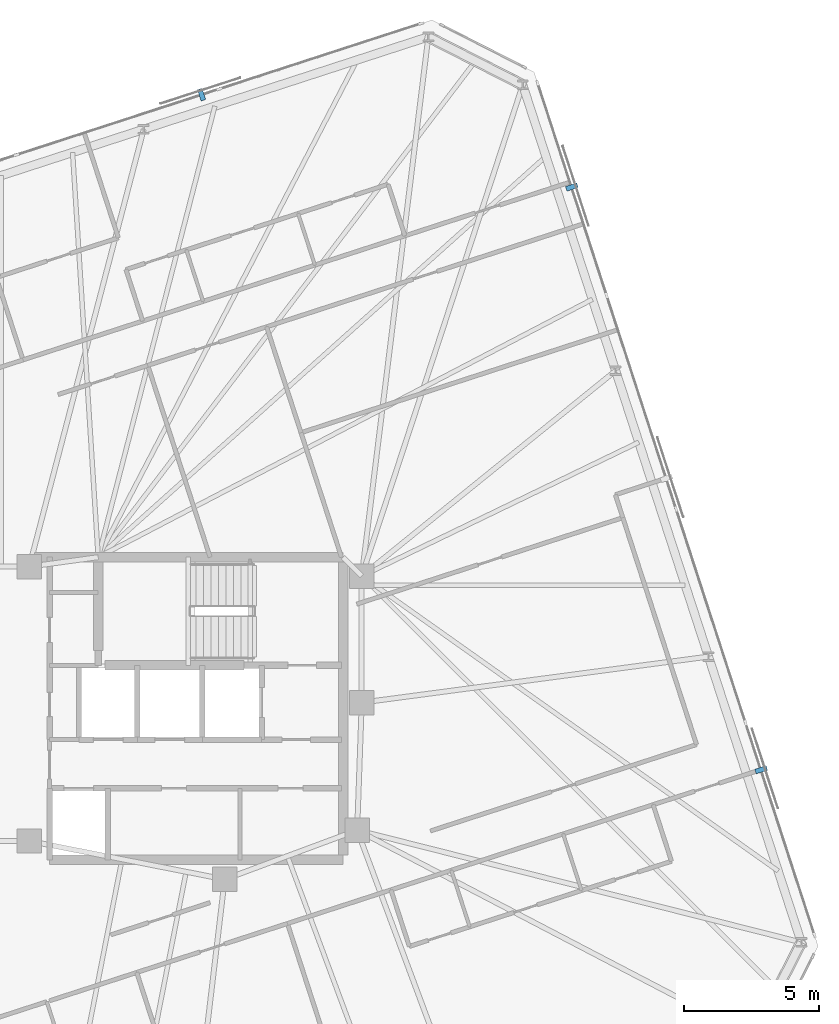
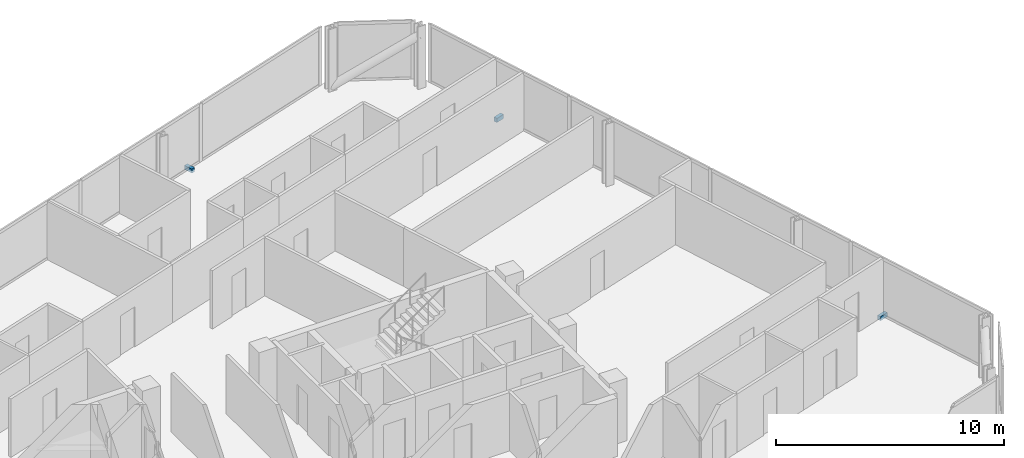
# One storey, part 19 of 20: 3 discrete accessories.
"""IFC4 building model written with IfcOpenShell, lengths in metres."""

from ifc_helpers import new_model, si_unit, direction, frame, origin, origin_2d, place, context, subcontext, project, spatial, rectangle, extrude, material, type_object, element, save


model = new_model("IFC4")

# Units and contexts
model_context = context("Model", 3, precision=1e-05, world=origin(), true_north=direction((0.0, 1.0)))
body_context = subcontext(model_context, "Body", "Model", "MODEL_VIEW")
ifc_project = project(units=[si_unit("LENGTHUNIT", "METRE"), si_unit("AREAUNIT", "SQUARE_METRE"), si_unit("VOLUMEUNIT", "CUBIC_METRE"), si_unit("PLANEANGLEUNIT", "RADIAN"), si_unit("MASSUNIT", "GRAM", prefix="KILO")], contexts=[model_context])

# Site, building, storey
site_placement = place(None, origin())
site = spatial("IfcSite", under=ifc_project, at=site_placement, CompositionType="ELEMENT")
building_placement = place(site_placement, origin())
building = spatial("IfcBuilding", under=site, at=building_placement, Name="Menara Jurai Vektor", CompositionType="ELEMENT")
storey_placement = place(building_placement, frame((0.0, 0.0, 237.699951171875)))
storey = spatial("IfcBuildingStorey", under=building, at=storey_placement, Name="L63", CompositionType="ELEMENT", Elevation=237.699951171875)

# Discrete accessories
ifc_material = material(Name="Steel S355", Category="steel")
discrete_accessory_type = type_object("IfcDiscreteAccessoryType", Name="ENV-ACC-BRACKET", PredefinedType="BRACKET", material=ifc_material)
for number, where, z_axis, x_axis, name in (
    (1, (30.026611328125, -2.26416015625, -0.1298828125), (0.0, 0.0, 1.0), (-0.309016994375, 0.951056516295, 0.0), "Solar Screen Stand-Off Bracket L63-S05"),
    (2, (23.0224609375, 19.29296875, -0.1298828125), (0.0, 0.0, 1.0), (-0.309016994375, 0.951056516295, 0.0), "Solar Screen Stand-Off Bracket L63-S07"),
    (3, (9.32470703125, 22.71435546875, -0.1298828125), (0.0, 0.0, 1.0), (-0.951056516295, -0.309016994375, 0.0), "Solar Screen Stand-Off Bracket L63-S08"),
):
    element("IfcDiscreteAccessory", number, at=place(storey_placement, frame(where, z_axis=z_axis, x_axis=x_axis)), inside=storey, type_object=discrete_accessory_type, Name=name, PredefinedType="BRACKET", context=body_context, shape_type="SweptSolid", body=[
        extrude(rectangle(XDim=0.179931640625, YDim=0.43994140625, at=origin_2d()), origin(), (0.0, 0.0, 1.0), 0.219970703125),
    ])

save(model, "model.ifc")
